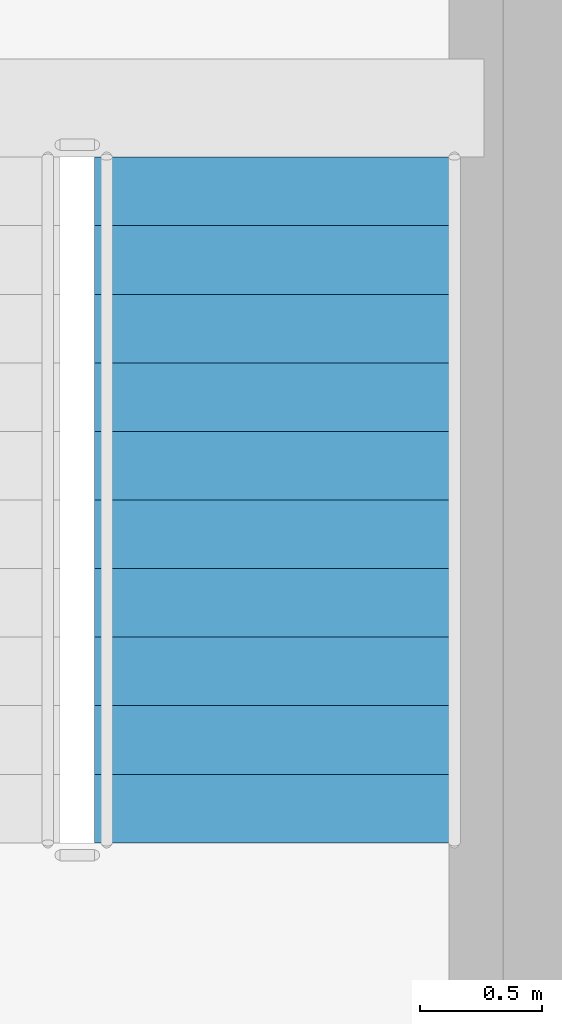
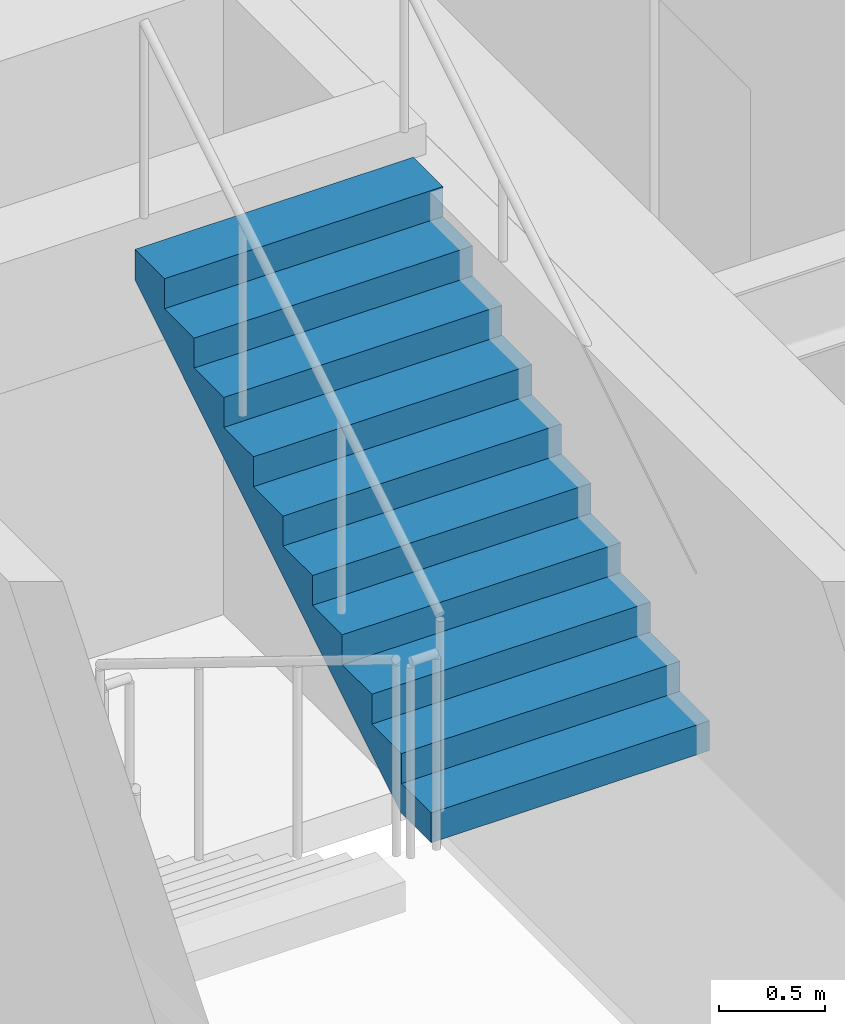
# One storey, part 10 of 11: 1 stair flight, 1 element without a shape of its own.
"""IFC4 building model written with IfcOpenShell, lengths in metres."""

from ifc_helpers import new_model, si_unit, direction, frame, origin, place, context, subcontext, project, spatial, polyline, outline, extrude, material, type_object, element, aggregate, save


model = new_model("IFC4")

# Units and contexts
model_context = context("Model", 3, precision=1e-05, world=origin(), true_north=direction((0.0, 1.0)))
body_context = subcontext(model_context, "Body", "Model", "MODEL_VIEW")
ifc_project = project(units=[si_unit("LENGTHUNIT", "METRE"), si_unit("AREAUNIT", "SQUARE_METRE"), si_unit("VOLUMEUNIT", "CUBIC_METRE"), si_unit("PLANEANGLEUNIT", "RADIAN"), si_unit("MASSUNIT", "GRAM", prefix="KILO")], contexts=[model_context])

# Site, building, storey
site_placement = place(None, origin())
site = spatial("IfcSite", under=ifc_project, at=site_placement, CompositionType="ELEMENT")
building_placement = place(site_placement, origin())
building = spatial("IfcBuilding", under=site, at=building_placement, Name="Haolan Belvedere Tower", CompositionType="ELEMENT")
storey_placement = place(building_placement, frame((0.0, 0.0, 215.39990234375)))
storey = spatial("IfcBuildingStorey", under=building, at=storey_placement, Name="L54", CompositionType="ELEMENT", Elevation=215.39990234375)

# Stair, stair flight
ifc_material = material(Name="Concrete C40/50", Category="concrete")
stair_type = type_object("IfcStairType", Name="STR-DL-22R-173", PredefinedType="HALF_TURN_STAIR", material=ifc_material)
stair_placement = place(storey_placement, origin())
stair = element("IfcStair", 1, at=stair_placement, inside=storey, type_object=stair_type, Name="L54 Smokeproof Core Exit Stair ST2", PredefinedType="HALF_TURN_STAIR")
stair_flight_type = type_object("IfcStairFlightType", Name="SFL-DL-11R-173", PredefinedType="STRAIGHT", material=ifc_material)
stair_flight_placement = place(storey_placement, frame((45.590087890625, 38.429931640625, 1.900146484375), z_axis=(0.0, 0.0, 1.0), x_axis=(0.0, 1.0, 0.0)))
stair_flight = element("IfcStairFlight", 2, at=stair_flight_placement, type_object=stair_flight_type, Name="ST2 flight 2", NumberOfRisers=11, NumberOfTreads=10, PredefinedType="STRAIGHT", RiserHeight=0.172727273, TreadLength=0.28, context=body_context, shape_type="SweptSolid", body=[
    extrude(outline(polyline([(0.0, 0.0), (0.0, 0.172607421875), (0.280029296875, 0.172607421875), (0.280029296875, 0.345458984375), (0.56005859375, 0.345458984375), (0.56005859375, 0.51806640625), (0.840087890625, 0.51806640625), (0.840087890625, 0.69091796875), (1.1201171875, 0.69091796875), (1.1201171875, 0.863525390625), (1.39990234375, 0.863525390625), (1.39990234375, 1.036376953125), (1.679931640625, 1.036376953125), (1.679931640625, 1.208984375), (1.9599609375, 1.208984375), (1.9599609375, 1.3818359375), (2.239990234375, 1.3818359375), (2.239990234375, 1.554443359375), (2.52001953125, 1.554443359375), (2.52001953125, 1.727294921875), (2.800048828125, 1.727294921875), (2.800048828125, 1.89990234375), (2.800048828125, 1.551025390625), (0.285400390625, 0.0), (0.0, 0.0)])), frame((0.0, 0.760009765625, 0.0), z_axis=(0.0, -1.0, 0.0), x_axis=(1.0, 0.0, 0.0)), (0.0, 0.0, 1.0), 1.52001953125),
])
aggregate(stair, [stair_flight])

save(model, "model.ifc")
